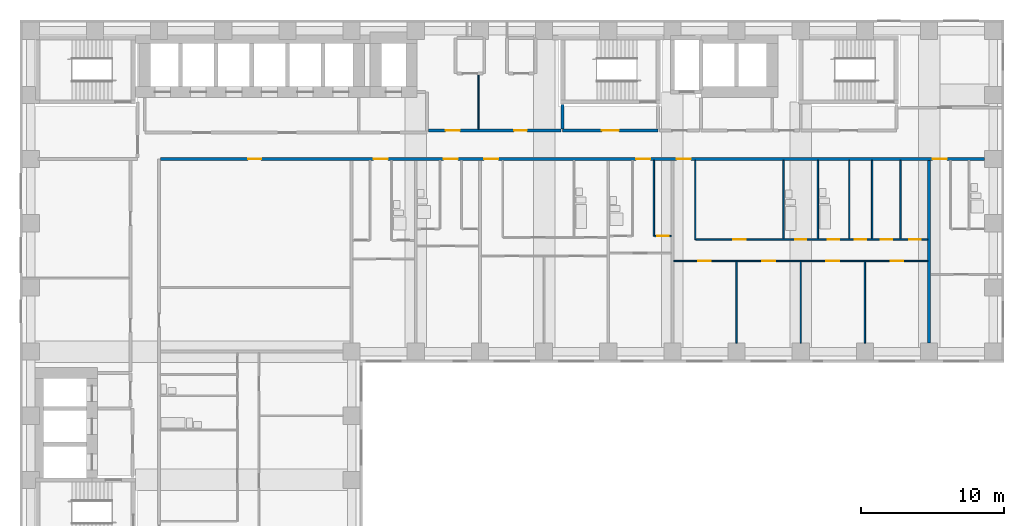
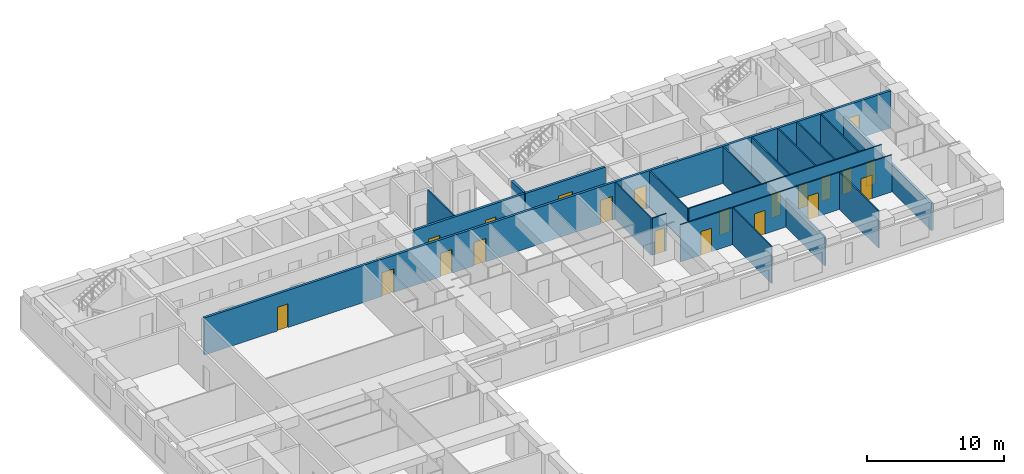
# One storey, part 7 of 12: 21 doors, 19 walls, 21 openings.
"""IFC4 building model written with IfcOpenShell, lengths in metres."""

from ifc_helpers import new_model, si_unit, direction, frame, frame_2d, origin, place, context, subcontext, project, spatial, rectangle, extrude, material, layer, layer_set, type_object, element, fill, save


model = new_model("IFC4")

# Units and contexts
model_context = context("Model", 3, precision=1e-05, world=origin(), true_north=direction((0.0, 1.0)))
body_context = subcontext(model_context, "Body", "Model", "MODEL_VIEW")
ifc_project = project(units=[si_unit("LENGTHUNIT", "METRE"), si_unit("AREAUNIT", "SQUARE_METRE"), si_unit("VOLUMEUNIT", "CUBIC_METRE"), si_unit("PLANEANGLEUNIT", "RADIAN"), si_unit("MASSUNIT", "GRAM", prefix="KILO")], contexts=[model_context])

# Site, building, storey
site_placement = place(None, origin())
site = spatial("IfcSite", under=ifc_project, at=site_placement, CompositionType="ELEMENT")
building_placement = place(site_placement, origin())
building = spatial("IfcBuilding", under=site, at=building_placement, Name="Firuza Court", CompositionType="ELEMENT")
storey_placement = place(building_placement, frame((0.0, 0.0, 39.800048828125)))
storey = spatial("IfcBuildingStorey", under=building, at=storey_placement, Name="L08", CompositionType="ELEMENT", Elevation=39.800048828125)

# Walls
ifc_material_1 = material(Name="Moisture-resistant gypsum board partition")
ifc_layer_1 = layer(ifc_material_1, 0.10009765625)
ifc_layer_set_1 = layer_set([ifc_layer_1], Name="Moisture-resistant gypsum board partition")
wall_type_1 = type_object("IfcWallType", Name="Bathroom partition 100", PredefinedType="PLUMBINGWALL", material=ifc_layer_set_1)
for number, where, z_axis, x_axis, name in (
    (1, (52.800048828125, 43.89990234375, 0.0), (0.0, 0.0, 1.0), (0.0, 1.0, 0.0), "Bathroom partition 100 L08"),
    (2, (55.199951171875, 43.89990234375, 0.0), (0.0, 0.0, 1.0), (0.0, 1.0, 0.0), "Bathroom partition 100 L08"),
    (3, (57.39990234375, 43.89990234375, 0.0), (0.0, 0.0, 1.0), (0.0, 1.0, 0.0), "Bathroom partition 100 L08"),
):
    element("IfcWall", number, at=place(storey_placement, frame(where, z_axis=z_axis, x_axis=x_axis)), inside=storey, type_object=wall_type_1, Name=name, PredefinedType="PLUMBINGWALL", context=body_context, shape_type="SweptSolid", body=[
        extrude(rectangle(XDim=5.5, YDim=0.10009765625, at=frame_2d((2.75, 0.0))), origin(), (0.0, 0.0, 1.0), 3.300048828125),
    ])

# Wall, openings, doors
ifc_material_2 = material(Name="Blockwork, plastered both sides", Category="masonry")
ifc_layer_2 = layer(ifc_material_2, 0.199951171875)
ifc_layer_set_2 = layer_set([ifc_layer_2], Name="Blockwork, plastered both sides")
wall_type_2 = type_object("IfcWallType", Name="Corridor wall 200", PredefinedType="PARTITIONING", material=ifc_layer_set_2)
wall_1_placement = place(storey_placement, frame((9.10009765625, 49.5, 0.0), z_axis=(0.0, 0.0, 1.0), x_axis=(1.0, 0.0, 0.0)))
wall_1 = element("IfcWall", 4, at=wall_1_placement, inside=storey, type_object=wall_type_2, Name="Corridor wall 200 L08", PredefinedType="PARTITIONING", context=body_context, shape_type="SweptSolid", body=[
    extrude(rectangle(XDim=57.7998046875, YDim=0.199951171875, at=frame_2d((28.89990234375, 0.0))), origin(), (0.0, 0.0, 1.0), 3.300048828125),
])
opening_1_placement = place(wall_1_placement, frame((14.949951171875, 0.0, 0.0)))
opening_1 = element("IfcOpeningElement", 5, at=opening_1_placement, cuts=wall_1, Name="Opening D08069", PredefinedType="OPENING", context=body_context, shape_type="SweptSolid", body=[
    extrude(rectangle(XDim=1.0, YDim=2.10009765625, at=frame_2d((0.5, 1.050048828125))), frame((0.0, 0.11181640625, 0.0), z_axis=(0.0, -1.0, 0.0), x_axis=(1.0, 0.0, 0.0)), (0.0, 0.0, 1.0), 0.223876953125),
])
opening_2_placement = place(wall_1_placement, frame((19.85009765625, 0.0, 0.0)))
opening_2 = element("IfcOpeningElement", 6, at=opening_2_placement, cuts=wall_1, Name="Opening D08070", PredefinedType="OPENING", context=body_context, shape_type="SweptSolid", body=[
    extrude(rectangle(XDim=1.0, YDim=2.10009765625, at=frame_2d((0.5, 1.050048828125))), frame((0.0, 0.11181640625, 0.0), z_axis=(0.0, -1.0, 0.0), x_axis=(1.0, 0.0, 0.0)), (0.0, 0.0, 1.0), 0.223876953125),
])
opening_3_placement = place(wall_1_placement, frame((22.699951171875, 0.0, 0.0)))
opening_3 = element("IfcOpeningElement", 7, at=opening_3_placement, cuts=wall_1, Name="Opening D08071", PredefinedType="OPENING", context=body_context, shape_type="SweptSolid", body=[
    extrude(rectangle(XDim=1.0, YDim=2.10009765625, at=frame_2d((0.5, 1.050048828125))), frame((0.0, 0.11181640625, 0.0), z_axis=(0.0, -1.0, 0.0), x_axis=(1.0, 0.0, 0.0)), (0.0, 0.0, 1.0), 0.223876953125),
])
opening_4_placement = place(wall_1_placement, frame((33.35009765625, 0.0, 0.0)))
opening_4 = element("IfcOpeningElement", 8, at=opening_4_placement, cuts=wall_1, Name="Opening D08072", PredefinedType="OPENING", context=body_context, shape_type="SweptSolid", body=[
    extrude(rectangle(XDim=1.0, YDim=2.10009765625, at=frame_2d((0.5, 1.050048828125))), frame((0.0, 0.11181640625, 0.0), z_axis=(0.0, -1.0, 0.0), x_axis=(1.0, 0.0, 0.0)), (0.0, 0.0, 1.0), 0.223876953125),
])
opening_5_placement = place(wall_1_placement, frame((36.199951171875, 0.0, 0.0)))
opening_5 = element("IfcOpeningElement", 9, at=opening_5_placement, cuts=wall_1, Name="Opening D08073", PredefinedType="OPENING", context=body_context, shape_type="SweptSolid", body=[
    extrude(rectangle(XDim=1.0, YDim=2.10009765625, at=frame_2d((0.5, 1.050048828125))), frame((0.0, 0.11181640625, 0.0), z_axis=(0.0, -1.0, 0.0), x_axis=(1.0, 0.0, 0.0)), (0.0, 0.0, 1.0), 0.223876953125),
])
opening_6_placement = place(wall_1_placement, frame((54.14990234375, 0.0, 0.0)))
opening_6 = element("IfcOpeningElement", 10, at=opening_6_placement, cuts=wall_1, Name="Opening D08074", PredefinedType="OPENING", context=body_context, shape_type="SweptSolid", body=[
    extrude(rectangle(XDim=1.0, YDim=2.10009765625, at=frame_2d((0.5, 1.050048828125))), frame((0.0, 0.11181640625, 0.0), z_axis=(0.0, -1.0, 0.0), x_axis=(1.0, 0.0, 0.0)), (0.0, 0.0, 1.0), 0.223876953125),
])
opening_7_placement = place(wall_1_placement, frame((6.14990234375, 0.0, 0.0)))
opening_7 = element("IfcOpeningElement", 11, at=opening_7_placement, cuts=wall_1, Name="Opening D08075", PredefinedType="OPENING", context=body_context, shape_type="SweptSolid", body=[
    extrude(rectangle(XDim=0.89990234375, YDim=2.10009765625, at=frame_2d((0.449951171875, 1.050048828125))), frame((0.0, 0.11181640625, 0.0), z_axis=(0.0, -1.0, 0.0), x_axis=(1.0, 0.0, 0.0)), (0.0, 0.0, 1.0), 0.223876953125),
])
ifc_material_3 = material(Name="Timber door leaf in hardwood frame", Category="wood")
door_type_1 = type_object("IfcDoorType", Name="Flat entrance door 1000", OperationType="SINGLE_SWING_LEFT", PredefinedType="DOOR", material=ifc_material_3)
door_1_placement = place(opening_1_placement, origin())
door_1 = element("IfcDoor", 12, at=door_1_placement, inside=storey, type_object=door_type_1, Name="Flat entrance door", OperationType="SINGLE_SWING_LEFT", OverallHeight=2.10009765625, OverallWidth=1.0, PredefinedType="DOOR", context=body_context, shape_type="SweptSolid", body=[
    extrude(rectangle(XDim=1.0, YDim=2.10009765625, at=frame_2d((0.5, 1.050048828125))), frame((0.0, 0.02490234375, 0.0), z_axis=(0.0, -1.0, 0.0), x_axis=(1.0, 0.0, 0.0)), (0.0, 0.0, 1.0), 0.050048828125),
])
fill(opening_1, door_1)
door_2_placement = place(opening_2_placement, origin())
door_2 = element("IfcDoor", 13, at=door_2_placement, inside=storey, type_object=door_type_1, Name="Flat entrance door", OperationType="SINGLE_SWING_LEFT", OverallHeight=2.10009765625, OverallWidth=1.0, PredefinedType="DOOR", context=body_context, shape_type="SweptSolid", body=[
    extrude(rectangle(XDim=1.0, YDim=2.10009765625, at=frame_2d((0.5, 1.050048828125))), frame((0.0, 0.02490234375, 0.0), z_axis=(0.0, -1.0, 0.0), x_axis=(1.0, 0.0, 0.0)), (0.0, 0.0, 1.0), 0.050048828125),
])
fill(opening_2, door_2)
door_3_placement = place(opening_3_placement, origin())
door_3 = element("IfcDoor", 14, at=door_3_placement, inside=storey, type_object=door_type_1, Name="Flat entrance door", OperationType="SINGLE_SWING_LEFT", OverallHeight=2.10009765625, OverallWidth=1.0, PredefinedType="DOOR", context=body_context, shape_type="SweptSolid", body=[
    extrude(rectangle(XDim=1.0, YDim=2.10009765625, at=frame_2d((0.5, 1.050048828125))), frame((0.0, 0.02490234375, 0.0), z_axis=(0.0, -1.0, 0.0), x_axis=(1.0, 0.0, 0.0)), (0.0, 0.0, 1.0), 0.050048828125),
])
fill(opening_3, door_3)
door_4_placement = place(opening_4_placement, origin())
door_4 = element("IfcDoor", 15, at=door_4_placement, inside=storey, type_object=door_type_1, Name="Flat entrance door", OperationType="SINGLE_SWING_LEFT", OverallHeight=2.10009765625, OverallWidth=1.0, PredefinedType="DOOR", context=body_context, shape_type="SweptSolid", body=[
    extrude(rectangle(XDim=1.0, YDim=2.10009765625, at=frame_2d((0.5, 1.050048828125))), frame((0.0, 0.02490234375, 0.0), z_axis=(0.0, -1.0, 0.0), x_axis=(1.0, 0.0, 0.0)), (0.0, 0.0, 1.0), 0.050048828125),
])
fill(opening_4, door_4)
door_5_placement = place(opening_5_placement, origin())
door_5 = element("IfcDoor", 16, at=door_5_placement, inside=storey, type_object=door_type_1, Name="Flat entrance door", OperationType="SINGLE_SWING_LEFT", OverallHeight=2.10009765625, OverallWidth=1.0, PredefinedType="DOOR", context=body_context, shape_type="SweptSolid", body=[
    extrude(rectangle(XDim=1.0, YDim=2.10009765625, at=frame_2d((0.5, 1.050048828125))), frame((0.0, 0.02490234375, 0.0), z_axis=(0.0, -1.0, 0.0), x_axis=(1.0, 0.0, 0.0)), (0.0, 0.0, 1.0), 0.050048828125),
])
fill(opening_5, door_5)
door_6_placement = place(opening_6_placement, origin())
door_6 = element("IfcDoor", 17, at=door_6_placement, inside=storey, type_object=door_type_1, Name="Flat entrance door", OperationType="SINGLE_SWING_RIGHT", OverallHeight=2.10009765625, OverallWidth=1.0, PredefinedType="DOOR", context=body_context, shape_type="SweptSolid", body=[
    extrude(rectangle(XDim=1.0, YDim=2.10009765625, at=frame_2d((0.5, 1.050048828125))), frame((0.0, 0.02490234375, 0.0), z_axis=(0.0, -1.0, 0.0), x_axis=(1.0, 0.0, 0.0)), (0.0, 0.0, 1.0), 0.050048828125),
])
fill(opening_6, door_6)
ifc_material_4 = material(Name="Timber door leaf in hardwood frame", Category="wood")
door_type_2 = type_object("IfcDoorType", Name="Room door 900 EI 30", OperationType="SINGLE_SWING_LEFT", PredefinedType="DOOR", material=ifc_material_4)
door_7_placement = place(opening_7_placement, origin())
door_7 = element("IfcDoor", 18, at=door_7_placement, inside=storey, type_object=door_type_2, Name="Cinema room door", OperationType="SINGLE_SWING_LEFT", OverallHeight=2.10009765625, OverallWidth=0.89990234375, PredefinedType="DOOR", context=body_context, shape_type="SweptSolid", body=[
    extrude(rectangle(XDim=0.89990234375, YDim=2.10009765625, at=frame_2d((0.449951171875, 1.050048828125))), frame((0.0, 0.02490234375, 0.0), z_axis=(0.0, -1.0, 0.0), x_axis=(1.0, 0.0, 0.0)), (0.0, 0.0, 1.0), 0.050048828125),
])
fill(opening_7, door_7)

wall_2_placement = place(storey_placement, frame((27.89990234375, 51.5, 0.0), z_axis=(0.0, 0.0, 1.0), x_axis=(1.0, 0.0, 0.0)))
wall_2 = element("IfcWall", 19, at=wall_2_placement, inside=storey, type_object=wall_type_2, Name="Corridor wall 200 L08", PredefinedType="PARTITIONING", context=body_context, shape_type="SweptSolid", body=[
    extrude(rectangle(XDim=9.300048828125, YDim=0.199951171875, at=frame_2d((4.64990234375, 0.0))), origin(), (0.0, 0.0, 1.0), 3.300048828125),
])
opening_8_placement = place(wall_2_placement, frame((1.199951171875, 0.0, 0.0)))
opening_8 = element("IfcOpeningElement", 20, at=opening_8_placement, cuts=wall_2, Name="Opening D08076", PredefinedType="OPENING", context=body_context, shape_type="SweptSolid", body=[
    extrude(rectangle(XDim=1.0, YDim=2.10009765625, at=frame_2d((0.5, 1.050048828125))), frame((0.0, 0.11181640625, 0.0), z_axis=(0.0, -1.0, 0.0), x_axis=(1.0, 0.0, 0.0)), (0.0, 0.0, 1.0), 0.223876953125),
])
opening_9_placement = place(wall_2_placement, frame((6.0, 0.0, 0.0)))
opening_9 = element("IfcOpeningElement", 21, at=opening_9_placement, cuts=wall_2, Name="Opening D08077", PredefinedType="OPENING", context=body_context, shape_type="SweptSolid", body=[
    extrude(rectangle(XDim=0.89990234375, YDim=2.10009765625, at=frame_2d((0.449951171875, 1.050048828125))), frame((0.0, 0.11181640625, 0.0), z_axis=(0.0, -1.0, 0.0), x_axis=(1.0, 0.0, 0.0)), (0.0, 0.0, 1.0), 0.223876953125),
])
door_8_placement = place(opening_9_placement, origin())
door_8 = element("IfcDoor", 22, at=door_8_placement, inside=storey, type_object=door_type_2, Name="Concierge room door", OperationType="SINGLE_SWING_LEFT", OverallHeight=2.10009765625, OverallWidth=0.89990234375, PredefinedType="DOOR", context=body_context, shape_type="SweptSolid", body=[
    extrude(rectangle(XDim=0.89990234375, YDim=2.10009765625, at=frame_2d((0.449951171875, 1.050048828125))), frame((0.0, 0.02490234375, 0.0), z_axis=(0.0, -1.0, 0.0), x_axis=(1.0, 0.0, 0.0)), (0.0, 0.0, 1.0), 0.050048828125),
])
fill(opening_9, door_8)
ifc_material_5 = material(Name="Timber door leaf in hardwood frame", Category="wood")
door_type_3 = type_object("IfcDoorType", Name="Store door 1000", OperationType="SINGLE_SWING_LEFT", PredefinedType="DOOR", material=ifc_material_5)
door_9_placement = place(opening_8_placement, origin())
door_9 = element("IfcDoor", 23, at=door_9_placement, inside=storey, type_object=door_type_3, Name="Cleaner's store door", OperationType="SINGLE_SWING_LEFT", OverallHeight=2.10009765625, OverallWidth=1.0, PredefinedType="DOOR", context=body_context, shape_type="SweptSolid", body=[
    extrude(rectangle(XDim=1.0, YDim=2.10009765625, at=frame_2d((0.5, 1.050048828125))), frame((0.0, 0.02490234375, 0.0), z_axis=(0.0, -1.0, 0.0), x_axis=(1.0, 0.0, 0.0)), (0.0, 0.0, 1.0), 0.050048828125),
])
fill(opening_8, door_9)

# Walls
ifc_material_6 = material(Name="Timber stud partition, plasterboard both sides", Category="wood")
ifc_layer_3 = layer(ifc_material_6, 0.10009765625)
ifc_layer_set_3 = layer_set([ifc_layer_3], Name="Timber stud partition, plasterboard both sides")
wall_type_3 = type_object("IfcWallType", Name="Partition wall 100", PredefinedType="PARTITIONING", material=ifc_layer_set_3)
wall_3_placement = place(storey_placement, frame((49.5, 36.60009765625, 0.0), z_axis=(0.0, 0.0, 1.0), x_axis=(0.0, 1.0, 0.0)))
element("IfcWall", 24, at=wall_3_placement, inside=storey, type_object=wall_type_3, Name="Partition wall 100 L08", PredefinedType="PARTITIONING", context=body_context, shape_type="SweptSolid", body=[
    extrude(rectangle(XDim=5.699951171875, YDim=0.10009765625, at=frame_2d((2.85009765625, 0.0))), origin(), (0.0, 0.0, 1.0), 3.300048828125),
])
wall_4_placement = place(storey_placement, frame((54.0, 36.60009765625, 0.0), z_axis=(0.0, 0.0, 1.0), x_axis=(0.0, 1.0, 0.0)))
element("IfcWall", 25, at=wall_4_placement, inside=storey, type_object=wall_type_3, Name="Partition wall 100 L08", PredefinedType="PARTITIONING", context=body_context, shape_type="SweptSolid", body=[
    extrude(rectangle(XDim=5.699951171875, YDim=0.10009765625, at=frame_2d((2.85009765625, 0.0))), origin(), (0.0, 0.0, 1.0), 2.599853515625),
])
wall_5_placement = place(storey_placement, frame((58.5, 36.60009765625, 0.0), z_axis=(0.0, 0.0, 1.0), x_axis=(0.0, 1.0, 0.0)))
element("IfcWall", 26, at=wall_5_placement, inside=storey, type_object=wall_type_3, Name="Partition wall 100 L08", PredefinedType="PARTITIONING", context=body_context, shape_type="SweptSolid", body=[
    extrude(rectangle(XDim=5.699951171875, YDim=0.10009765625, at=frame_2d((2.85009765625, 0.0))), origin(), (0.0, 0.0, 1.0), 3.300048828125),
])

# Wall, openings, doors
wall_6_placement = place(storey_placement, frame((45.10009765625, 42.35009765625, 0.0), z_axis=(0.0, 0.0, 1.0), x_axis=(1.0, 0.0, 0.0)))
wall_6 = element("IfcWall", 27, at=wall_6_placement, inside=storey, type_object=wall_type_3, Name="Partition wall 100 L08", PredefinedType="PARTITIONING", context=body_context, shape_type="SweptSolid", body=[
    extrude(rectangle(XDim=17.7998046875, YDim=0.10009765625, at=frame_2d((8.89990234375, 0.0))), origin(), (0.0, 0.0, 1.0), 3.300048828125),
])
opening_10_placement = place(wall_6_placement, frame((1.699951171875, 0.0, 0.0)))
opening_10 = element("IfcOpeningElement", 28, at=opening_10_placement, cuts=wall_6, Name="Opening D08044", PredefinedType="OPENING", context=body_context, shape_type="SweptSolid", body=[
    extrude(rectangle(XDim=0.89990234375, YDim=2.10009765625, at=frame_2d((0.449951171875, 1.050048828125))), frame((0.0, 0.06201171875, 0.0), z_axis=(0.0, -1.0, 0.0), x_axis=(1.0, 0.0, 0.0)), (0.0, 0.0, 1.0), 0.1240234375),
])
opening_11_placement = place(wall_6_placement, frame((6.199951171875, 0.0, 0.0)))
opening_11 = element("IfcOpeningElement", 29, at=opening_11_placement, cuts=wall_6, Name="Opening D08045", PredefinedType="OPENING", context=body_context, shape_type="SweptSolid", body=[
    extrude(rectangle(XDim=0.89990234375, YDim=2.10009765625, at=frame_2d((0.449951171875, 1.050048828125))), frame((0.0, 0.06201171875, 0.0), z_axis=(0.0, -1.0, 0.0), x_axis=(1.0, 0.0, 0.0)), (0.0, 0.0, 1.0), 0.1240234375),
])
opening_12_placement = place(wall_6_placement, frame((10.699951171875, 0.0, 0.0)))
opening_12 = element("IfcOpeningElement", 30, at=opening_12_placement, cuts=wall_6, Name="Opening D08046", PredefinedType="OPENING", context=body_context, shape_type="SweptSolid", body=[
    extrude(rectangle(XDim=0.89990234375, YDim=2.10009765625, at=frame_2d((0.449951171875, 1.050048828125))), frame((0.0, 0.06201171875, 0.0), z_axis=(0.0, -1.0, 0.0), x_axis=(1.0, 0.0, 0.0)), (0.0, 0.0, 1.0), 0.1240234375),
])
opening_13_placement = place(wall_6_placement, frame((15.199951171875, 0.0, 0.0)))
opening_13 = element("IfcOpeningElement", 31, at=opening_13_placement, cuts=wall_6, Name="Opening D08047", PredefinedType="OPENING", context=body_context, shape_type="SweptSolid", body=[
    extrude(rectangle(XDim=0.89990234375, YDim=2.10009765625, at=frame_2d((0.449951171875, 1.050048828125))), frame((0.0, 0.06201171875, 0.0), z_axis=(0.0, -1.0, 0.0), x_axis=(1.0, 0.0, 0.0)), (0.0, 0.0, 1.0), 0.1240234375),
])
ifc_material_7 = material(Name="Timber door leaf in hardwood frame", Category="wood")
door_type_4 = type_object("IfcDoorType", Name="Room door 900", OperationType="SINGLE_SWING_LEFT", PredefinedType="DOOR", material=ifc_material_7)
door_10_placement = place(opening_10_placement, frame((0.89990234375, 0.0, 0.0), z_axis=(0.0, 0.0, 1.0), x_axis=(-1.0, 0.0, 0.0)))
door_10 = element("IfcDoor", 32, at=door_10_placement, inside=storey, type_object=door_type_4, Name="Living room door", OperationType="SINGLE_SWING_RIGHT", OverallHeight=2.10009765625, OverallWidth=0.89990234375, PredefinedType="DOOR", context=body_context, shape_type="SweptSolid", body=[
    extrude(rectangle(XDim=0.89990234375, YDim=2.10009765625, at=frame_2d((0.449951171875, 1.050048828125))), frame((0.0, 0.02490234375, 0.0), z_axis=(0.0, -1.0, 0.0), x_axis=(1.0, 0.0, 0.0)), (0.0, 0.0, 1.0), 0.050048828125),
])
fill(opening_10, door_10)
door_11_placement = place(opening_11_placement, frame((0.89990234375, 0.0, 0.0), z_axis=(0.0, 0.0, 1.0), x_axis=(-1.0, 0.0, 0.0)))
door_11 = element("IfcDoor", 33, at=door_11_placement, inside=storey, type_object=door_type_4, Name="Bedroom door", OperationType="SINGLE_SWING_RIGHT", OverallHeight=2.10009765625, OverallWidth=0.89990234375, PredefinedType="DOOR", context=body_context, shape_type="SweptSolid", body=[
    extrude(rectangle(XDim=0.89990234375, YDim=2.10009765625, at=frame_2d((0.449951171875, 1.050048828125))), frame((0.0, 0.02490234375, 0.0), z_axis=(0.0, -1.0, 0.0), x_axis=(1.0, 0.0, 0.0)), (0.0, 0.0, 1.0), 0.050048828125),
])
fill(opening_11, door_11)
door_12_placement = place(opening_12_placement, frame((0.89990234375, 0.0, 0.0), z_axis=(0.0, 0.0, 1.0), x_axis=(-1.0, 0.0, 0.0)))
door_12 = element("IfcDoor", 34, at=door_12_placement, inside=storey, type_object=door_type_4, Name="Bedroom door", OperationType="SINGLE_SWING_RIGHT", OverallHeight=2.10009765625, OverallWidth=0.89990234375, PredefinedType="DOOR", context=body_context, shape_type="SweptSolid", body=[
    extrude(rectangle(XDim=0.89990234375, YDim=2.10009765625, at=frame_2d((0.449951171875, 1.050048828125))), frame((0.0, 0.02490234375, 0.0), z_axis=(0.0, -1.0, 0.0), x_axis=(1.0, 0.0, 0.0)), (0.0, 0.0, 1.0), 0.050048828125),
])
fill(opening_12, door_12)
door_13_placement = place(opening_13_placement, frame((0.89990234375, 0.0, 0.0), z_axis=(0.0, 0.0, 1.0), x_axis=(-1.0, 0.0, 0.0)))
door_13 = element("IfcDoor", 35, at=door_13_placement, inside=storey, type_object=door_type_4, Name="Bedroom door", OperationType="SINGLE_SWING_RIGHT", OverallHeight=2.10009765625, OverallWidth=0.89990234375, PredefinedType="DOOR", context=body_context, shape_type="SweptSolid", body=[
    extrude(rectangle(XDim=0.89990234375, YDim=2.10009765625, at=frame_2d((0.449951171875, 1.050048828125))), frame((0.0, 0.02490234375, 0.0), z_axis=(0.0, -1.0, 0.0), x_axis=(1.0, 0.0, 0.0)), (0.0, 0.0, 1.0), 0.050048828125),
])
fill(opening_13, door_13)

# Wall
wall_7_placement = place(storey_placement, frame((46.60009765625, 43.85009765625, 0.0), z_axis=(0.0, 0.0, 1.0), x_axis=(0.0, 1.0, 0.0)))
element("IfcWall", 36, at=wall_7_placement, inside=storey, type_object=wall_type_3, Name="Partition wall 100 L08", PredefinedType="PARTITIONING", context=body_context, shape_type="SweptSolid", body=[
    extrude(rectangle(XDim=5.5498046875, YDim=0.10009765625, at=frame_2d((2.77490234375, 0.0))), origin(), (0.0, 0.0, 1.0), 3.300048828125),
])

# Wall, openings, doors
wall_8_placement = place(storey_placement, frame((46.64990234375, 43.85009765625, 0.0), z_axis=(0.0, 0.0, 1.0), x_axis=(1.0, 0.0, 0.0)))
wall_8 = element("IfcWall", 37, at=wall_8_placement, inside=storey, type_object=wall_type_3, Name="Partition wall 100 L08", PredefinedType="PARTITIONING", context=body_context, shape_type="SweptSolid", body=[
    extrude(rectangle(XDim=16.25, YDim=0.10009765625, at=frame_2d((8.125, 0.0))), origin(), (0.0, 0.0, 1.0), 3.300048828125),
])
opening_14_placement = place(wall_8_placement, frame((6.949951171875, 0.0, 0.0)))
opening_14 = element("IfcOpeningElement", 38, at=opening_14_placement, cuts=wall_8, Name="Opening D08055", PredefinedType="OPENING", context=body_context, shape_type="SweptSolid", body=[
    extrude(rectangle(XDim=0.800048828125, YDim=2.10009765625, at=frame_2d((0.39990234375, 1.050048828125))), frame((0.0, 0.06201171875, 0.0), z_axis=(0.0, -1.0, 0.0), x_axis=(1.0, 0.0, 0.0)), (0.0, 0.0, 1.0), 0.1240234375),
])
opening_15_placement = place(wall_8_placement, frame((9.25, 0.0, 0.0)))
opening_15 = element("IfcOpeningElement", 39, at=opening_15_placement, cuts=wall_8, Name="Opening D08056", PredefinedType="OPENING", context=body_context, shape_type="SweptSolid", body=[
    extrude(rectangle(XDim=0.800048828125, YDim=2.10009765625, at=frame_2d((0.39990234375, 1.050048828125))), frame((0.0, 0.06201171875, 0.0), z_axis=(0.0, -1.0, 0.0), x_axis=(1.0, 0.0, 0.0)), (0.0, 0.0, 1.0), 0.1240234375),
])
opening_16_placement = place(wall_8_placement, frame((2.60009765625, 0.0, 0.0)))
opening_16 = element("IfcOpeningElement", 40, at=opening_16_placement, cuts=wall_8, Name="Opening D08057", PredefinedType="OPENING", context=body_context, shape_type="SweptSolid", body=[
    extrude(rectangle(XDim=0.89990234375, YDim=2.10009765625, at=frame_2d((0.449951171875, 1.050048828125))), frame((0.0, 0.06201171875, 0.0), z_axis=(0.0, -1.0, 0.0), x_axis=(1.0, 0.0, 0.0)), (0.0, 0.0, 1.0), 0.1240234375),
])
opening_17_placement = place(wall_8_placement, frame((14.949951171875, 0.0, 0.0)))
opening_17 = element("IfcOpeningElement", 41, at=opening_17_placement, cuts=wall_8, Name="Opening D08058", PredefinedType="OPENING", context=body_context, shape_type="SweptSolid", body=[
    extrude(rectangle(XDim=0.800048828125, YDim=2.10009765625, at=frame_2d((0.39990234375, 1.050048828125))), frame((0.0, 0.06201171875, 0.0), z_axis=(0.0, -1.0, 0.0), x_axis=(1.0, 0.0, 0.0)), (0.0, 0.0, 1.0), 0.1240234375),
])
opening_18_placement = place(wall_8_placement, frame((11.14990234375, 0.0, 0.0)))
opening_18 = element("IfcOpeningElement", 42, at=opening_18_placement, cuts=wall_8, Name="Opening D08059", PredefinedType="OPENING", context=body_context, shape_type="SweptSolid", body=[
    extrude(rectangle(XDim=0.800048828125, YDim=2.10009765625, at=frame_2d((0.39990234375, 1.050048828125))), frame((0.0, 0.06201171875, 0.0), z_axis=(0.0, -1.0, 0.0), x_axis=(1.0, 0.0, 0.0)), (0.0, 0.0, 1.0), 0.1240234375),
])
opening_19_placement = place(wall_8_placement, frame((12.949951171875, 0.0, 0.0)))
opening_19 = element("IfcOpeningElement", 43, at=opening_19_placement, cuts=wall_8, Name="Opening D08060", PredefinedType="OPENING", context=body_context, shape_type="SweptSolid", body=[
    extrude(rectangle(XDim=0.800048828125, YDim=2.10009765625, at=frame_2d((0.39990234375, 1.050048828125))), frame((0.0, 0.06201171875, 0.0), z_axis=(0.0, -1.0, 0.0), x_axis=(1.0, 0.0, 0.0)), (0.0, 0.0, 1.0), 0.1240234375),
])
ifc_material_8 = material(Name="Timber door leaf in hardwood frame", Category="wood")
door_type_5 = type_object("IfcDoorType", Name="Bathroom door 800", OperationType="SINGLE_SWING_LEFT", PredefinedType="DOOR", material=ifc_material_8)
door_14_placement = place(opening_14_placement, origin())
door_14 = element("IfcDoor", 44, at=door_14_placement, inside=storey, type_object=door_type_5, Name="Bathroom door", OperationType="SINGLE_SWING_LEFT", OverallHeight=2.10009765625, OverallWidth=0.800048828125, PredefinedType="DOOR", context=body_context, shape_type="SweptSolid", body=[
    extrude(rectangle(XDim=0.800048828125, YDim=2.10009765625, at=frame_2d((0.39990234375, 1.050048828125))), frame((0.0, 0.02490234375, 0.0), z_axis=(0.0, -1.0, 0.0), x_axis=(1.0, 0.0, 0.0)), (0.0, 0.0, 1.0), 0.050048828125),
])
fill(opening_14, door_14)
door_15_placement = place(opening_15_placement, origin())
door_15 = element("IfcDoor", 45, at=door_15_placement, inside=storey, type_object=door_type_5, Name="Bathroom 2 door", OperationType="SINGLE_SWING_LEFT", OverallHeight=2.10009765625, OverallWidth=0.800048828125, PredefinedType="DOOR", context=body_context, shape_type="SweptSolid", body=[
    extrude(rectangle(XDim=0.800048828125, YDim=2.10009765625, at=frame_2d((0.39990234375, 1.050048828125))), frame((0.0, 0.02490234375, 0.0), z_axis=(0.0, -1.0, 0.0), x_axis=(1.0, 0.0, 0.0)), (0.0, 0.0, 1.0), 0.050048828125),
])
fill(opening_15, door_15)
ifc_material_9 = material(Name="Timber door leaf in hardwood frame", Category="wood")
door_type_6 = type_object("IfcDoorType", Name="Room door 800", OperationType="SINGLE_SWING_LEFT", PredefinedType="DOOR", material=ifc_material_9)
door_16_placement = place(opening_17_placement, origin())
door_16 = element("IfcDoor", 46, at=door_16_placement, inside=storey, type_object=door_type_6, Name="Pantry door", OperationType="SINGLE_SWING_LEFT", OverallHeight=2.10009765625, OverallWidth=0.800048828125, PredefinedType="DOOR", context=body_context, shape_type="SweptSolid", body=[
    extrude(rectangle(XDim=0.800048828125, YDim=2.10009765625, at=frame_2d((0.39990234375, 1.050048828125))), frame((0.0, 0.02490234375, 0.0), z_axis=(0.0, -1.0, 0.0), x_axis=(1.0, 0.0, 0.0)), (0.0, 0.0, 1.0), 0.050048828125),
])
fill(opening_17, door_16)
door_17_placement = place(opening_18_placement, origin())
door_17 = element("IfcDoor", 47, at=door_17_placement, inside=storey, type_object=door_type_6, Name="Store door", OperationType="SINGLE_SWING_LEFT", OverallHeight=2.10009765625, OverallWidth=0.800048828125, PredefinedType="DOOR", context=body_context, shape_type="SweptSolid", body=[
    extrude(rectangle(XDim=0.800048828125, YDim=2.10009765625, at=frame_2d((0.39990234375, 1.050048828125))), frame((0.0, 0.02490234375, 0.0), z_axis=(0.0, -1.0, 0.0), x_axis=(1.0, 0.0, 0.0)), (0.0, 0.0, 1.0), 0.050048828125),
])
fill(opening_18, door_17)
door_18_placement = place(opening_19_placement, origin())
door_18 = element("IfcDoor", 48, at=door_18_placement, inside=storey, type_object=door_type_6, Name="Utility room door", OperationType="SINGLE_SWING_LEFT", OverallHeight=2.10009765625, OverallWidth=0.800048828125, PredefinedType="DOOR", context=body_context, shape_type="SweptSolid", body=[
    extrude(rectangle(XDim=0.800048828125, YDim=2.10009765625, at=frame_2d((0.39990234375, 1.050048828125))), frame((0.0, 0.02490234375, 0.0), z_axis=(0.0, -1.0, 0.0), x_axis=(1.0, 0.0, 0.0)), (0.0, 0.0, 1.0), 0.050048828125),
])
fill(opening_19, door_18)
door_19_placement = place(opening_16_placement, origin())
door_19 = element("IfcDoor", 49, at=door_19_placement, inside=storey, type_object=door_type_4, Name="Kitchen door", OperationType="SINGLE_SWING_LEFT", OverallHeight=2.10009765625, OverallWidth=0.89990234375, PredefinedType="DOOR", context=body_context, shape_type="SweptSolid", body=[
    extrude(rectangle(XDim=0.89990234375, YDim=2.10009765625, at=frame_2d((0.449951171875, 1.050048828125))), frame((0.0, 0.02490234375, 0.0), z_axis=(0.0, -1.0, 0.0), x_axis=(1.0, 0.0, 0.0)), (0.0, 0.0, 1.0), 0.050048828125),
])
fill(opening_16, door_19)

# Walls
for number, where, z_axis, x_axis, name in (
    (50, (59.0, 43.89990234375, 0.0), (0.0, 0.0, 1.0), (0.0, 1.0, 0.0), "Partition wall 100 L08"),
    (51, (61.0, 43.89990234375, 0.0), (0.0, 0.0, 1.0), (0.0, 1.0, 0.0), "Partition wall 100 L08"),
):
    element("IfcWall", number, at=place(storey_placement, frame(where, z_axis=z_axis, x_axis=x_axis)), inside=storey, type_object=wall_type_3, Name=name, PredefinedType="PARTITIONING", context=body_context, shape_type="SweptSolid", body=[
        extrude(rectangle(XDim=5.5, YDim=0.10009765625, at=frame_2d((2.75, 0.0))), origin(), (0.0, 0.0, 1.0), 3.300048828125),
    ])
wall_9_placement = place(storey_placement, frame((43.699951171875, 44.10009765625, 0.0), z_axis=(0.0, 0.0, 1.0), x_axis=(0.0, 1.0, 0.0)))
element("IfcWall", 52, at=wall_9_placement, inside=storey, type_object=wall_type_3, Name="Partition wall 100 L08", PredefinedType="PARTITIONING", context=body_context, shape_type="SweptSolid", body=[
    extrude(rectangle(XDim=5.2998046875, YDim=0.10009765625, at=frame_2d((2.64990234375, 0.0))), origin(), (0.0, 0.0, 1.0), 3.300048828125),
])

# Wall, opening, door
wall_10_placement = place(storey_placement, frame((43.75, 44.10009765625, 0.0), z_axis=(0.0, 0.0, 1.0), x_axis=(1.0, 0.0, 0.0)))
wall_10 = element("IfcWall", 53, at=wall_10_placement, inside=storey, type_object=wall_type_3, Name="Partition wall 100 L08", PredefinedType="PARTITIONING", context=body_context, shape_type="SweptSolid", body=[
    extrude(rectangle(XDim=1.14990234375, YDim=0.10009765625, at=frame_2d((0.574951171875, 0.0))), origin(), (0.0, 0.0, 1.0), 3.300048828125),
])
opening_20_placement = place(wall_10_placement, frame((0.199951171875, 0.0, 0.0)))
opening_20 = element("IfcOpeningElement", 54, at=opening_20_placement, cuts=wall_10, Name="Opening D08064", PredefinedType="OPENING", context=body_context, shape_type="SweptSolid", body=[
    extrude(rectangle(XDim=0.800048828125, YDim=2.10009765625, at=frame_2d((0.39990234375, 1.050048828125))), frame((0.0, 0.06201171875, 0.0), z_axis=(0.0, -1.0, 0.0), x_axis=(1.0, 0.0, 0.0)), (0.0, 0.0, 1.0), 0.1240234375),
])
door_20_placement = place(opening_20_placement, origin())
door_20 = element("IfcDoor", 55, at=door_20_placement, inside=storey, type_object=door_type_6, Name="Kitchen door", OperationType="SINGLE_SWING_LEFT", OverallHeight=2.10009765625, OverallWidth=0.800048828125, PredefinedType="DOOR", context=body_context, shape_type="SweptSolid", body=[
    extrude(rectangle(XDim=0.800048828125, YDim=2.10009765625, at=frame_2d((0.39990234375, 1.050048828125))), frame((0.0, 0.02490234375, 0.0), z_axis=(0.0, -1.0, 0.0), x_axis=(1.0, 0.0, 0.0)), (0.0, 0.0, 1.0), 0.050048828125),
])
fill(opening_20, door_20)

# Walls
wall_11_placement = place(storey_placement, frame((31.39990234375, 51.60009765625, 0.0), z_axis=(0.0, 0.0, 1.0), x_axis=(0.0, 1.0, 0.0)))
element("IfcWall", 56, at=wall_11_placement, inside=storey, type_object=wall_type_3, Name="Partition wall 100 L08", PredefinedType="PARTITIONING", context=body_context, shape_type="SweptSolid", body=[
    extrude(rectangle(XDim=3.7998046875, YDim=0.10009765625, at=frame_2d((1.89990234375, 0.0))), origin(), (0.0, 0.0, 1.0), 3.300048828125),
])
ifc_layer_4 = layer(ifc_material_2, 0.199951171875)
ifc_layer_set_4 = layer_set([ifc_layer_4], Name="Blockwork, plastered both sides")
wall_type_4 = type_object("IfcWallType", Name="Party wall 200", PredefinedType="PARTITIONING", material=ifc_layer_set_4)
wall_12_placement = place(storey_placement, frame((63.0, 36.60009765625, 0.0), z_axis=(0.0, 0.0, 1.0), x_axis=(0.0, 1.0, 0.0)))
element("IfcWall", 57, at=wall_12_placement, inside=storey, type_object=wall_type_4, Name="Party wall 200 L08", PredefinedType="PARTITIONING", context=body_context, shape_type="SweptSolid", body=[
    extrude(rectangle(XDim=12.7998046875, YDim=0.199951171875, at=frame_2d((6.39990234375, 0.0))), origin(), (0.0, 0.0, 1.0), 2.39990234375),
])

# Wall, opening, door
ifc_material_10 = material(Name="Blockwork, fire-rated", Category="masonry")
ifc_layer_5 = layer(ifc_material_10, 0.199951171875)
ifc_layer_set_5 = layer_set([ifc_layer_5], Name="Blockwork, fire-rated")
wall_type_5 = type_object("IfcWallType", Name="Shaft wall 200", PredefinedType="PARTITIONING", material=ifc_layer_set_5)
wall_13_placement = place(storey_placement, frame((37.300048828125, 51.5, 0.0), z_axis=(0.0, 0.0, 1.0), x_axis=(1.0, 0.0, 0.0)))
wall_13 = element("IfcWall", 58, at=wall_13_placement, inside=storey, type_object=wall_type_5, Name="Shaft wall 200 L08", PredefinedType="PARTITIONING", context=body_context, shape_type="SweptSolid", body=[
    extrude(rectangle(XDim=6.699951171875, YDim=0.199951171875, at=frame_2d((3.35009765625, 0.0))), origin(), (0.0, 0.0, 1.0), 3.300048828125),
])
opening_21_placement = place(wall_13_placement, frame((2.75, 0.0, 0.0)))
opening_21 = element("IfcOpeningElement", 59, at=opening_21_placement, cuts=wall_13, Name="Opening D08006", PredefinedType="OPENING", context=body_context, shape_type="SweptSolid", body=[
    extrude(rectangle(XDim=1.199951171875, YDim=2.10009765625, at=frame_2d((0.60009765625, 1.050048828125))), frame((0.0, 0.11181640625, 0.0), z_axis=(0.0, -1.0, 0.0), x_axis=(1.0, 0.0, 0.0)), (0.0, 0.0, 1.0), 0.223876953125),
])
ifc_material_11 = material(Name="Timber door leaf in hardwood frame", Category="wood")
door_type_7 = type_object("IfcDoorType", Name="Lobby door 1200", OperationType="SINGLE_SWING_LEFT", PredefinedType="DOOR", material=ifc_material_11)
door_21_placement = place(opening_21_placement, origin())
door_21 = element("IfcDoor", 60, at=door_21_placement, inside=storey, type_object=door_type_7, Name="Lobby door", OperationType="SINGLE_SWING_LEFT", OverallHeight=2.10009765625, OverallWidth=1.199951171875, PredefinedType="DOOR", context=body_context, shape_type="SweptSolid", body=[
    extrude(rectangle(XDim=1.199951171875, YDim=2.10009765625, at=frame_2d((0.60009765625, 1.050048828125))), frame((0.0, 0.02490234375, 0.0), z_axis=(0.0, -1.0, 0.0), x_axis=(1.0, 0.0, 0.0)), (0.0, 0.0, 1.0), 0.050048828125),
])
fill(opening_21, door_21)

# Wall
wall_14_placement = place(storey_placement, frame((37.300048828125, 51.60009765625, 0.0), z_axis=(0.0, 0.0, 1.0), x_axis=(0.0, 1.0, 0.0)))
element("IfcWall", 61, at=wall_14_placement, inside=storey, type_object=wall_type_5, Name="Shaft wall 200 L08", PredefinedType="PARTITIONING", context=body_context, shape_type="SweptSolid", body=[
    extrude(rectangle(XDim=1.72998046875, YDim=0.199951171875, at=frame_2d((0.864990234375, 0.0))), origin(), (0.0, 0.0, 1.0), 3.300048828125),
])

save(model, "model.ifc")
